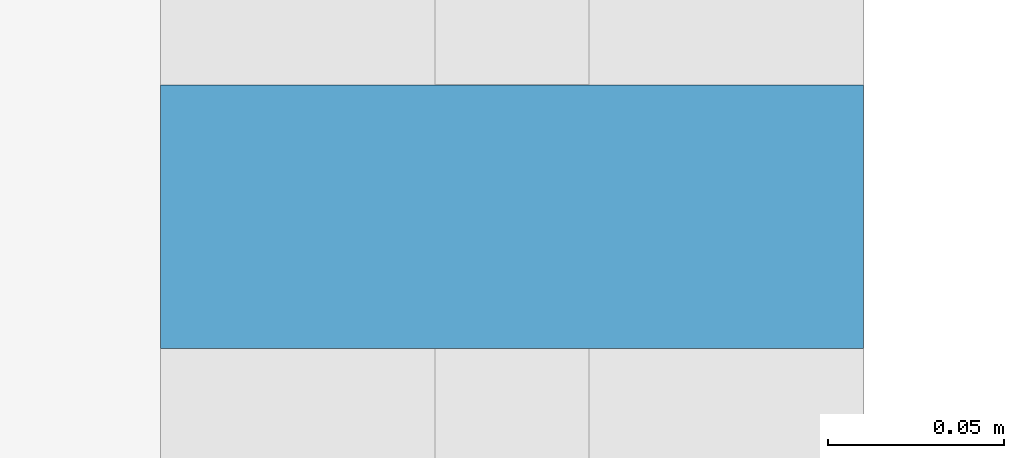
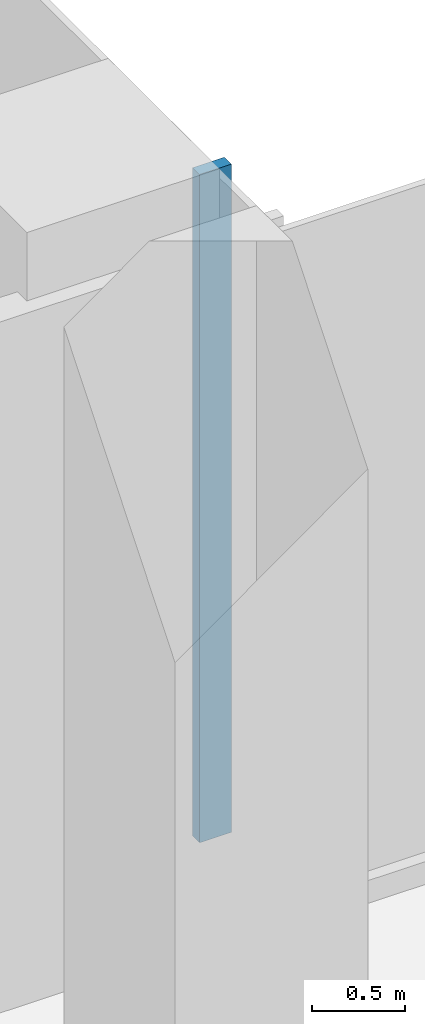
# One storey, part 4 of 27: 1 member, 1 element without a shape of its own.
"""IFC4 building model written with IfcOpenShell, lengths in metres."""

from ifc_helpers import new_model, si_unit, direction, frame, origin, origin_2d, place, context, subcontext, project, spatial, rectangle, extrude, source, transform, mapped, material, material_profile, profile_set, type_object, element, aggregate, save


model = new_model("IFC4")

# Units and contexts
model_context = context("Model", 3, precision=1e-05, world=origin(), true_north=direction((0.0, 1.0)))
body_context = subcontext(model_context, "Body", "Model", "MODEL_VIEW")
ifc_project = project(units=[si_unit("LENGTHUNIT", "METRE"), si_unit("AREAUNIT", "SQUARE_METRE"), si_unit("VOLUMEUNIT", "CUBIC_METRE"), si_unit("PLANEANGLEUNIT", "RADIAN"), si_unit("MASSUNIT", "GRAM", prefix="KILO")], contexts=[model_context])

# Site, building, storey
site_placement = place(None, origin())
site = spatial("IfcSite", under=ifc_project, at=site_placement, CompositionType="ELEMENT")
building_placement = place(site_placement, origin())
building = spatial("IfcBuilding", under=site, at=building_placement, Name="Kemantara Hotel Tower", CompositionType="ELEMENT")
storey_placement = place(building_placement, frame((0.0, 0.0, 29.0)))
storey = spatial("IfcBuildingStorey", under=building, at=storey_placement, Name="L05", CompositionType="ELEMENT", Elevation=29.0)

# Curtain wall, member
ifc_material_1 = material(Name="Laminated tinted insulated glass 44 mm", Category="glass")
curtain_wall_type = type_object("IfcCurtainWallType", Name="PODIUM GLASS CURTAIN WALL", PredefinedType="USERDEFINED", material=ifc_material_1)
curtain_wall_placement = place(storey_placement, origin())
curtain_wall = element("IfcCurtainWall", 1, at=curtain_wall_placement, inside=storey, type_object=curtain_wall_type, Name="CW1 L05 POD-R08-1", ObjectType="PODIUM GLASS CURTAIN WALL", PredefinedType="USERDEFINED")
ifc_material_2 = material(Name="Aluminium 6063-T6 bronze anodised", Category="aluminium")
ifc_material_profile = material_profile(ifc_material_2, rectangle(XDim=0.199951171875, YDim=0.074951171875, at=origin_2d()), Name="PODIUM GLASS CURTAIN WALL MULLION")
ifc_profile_set = profile_set([ifc_material_profile], Name="Aluminium 6063-T6 bronze anodised")
member_type = type_object("IfcMemberType", Name="PODIUM GLASS CURTAIN WALL MULLION", PredefinedType="MULLION", material=ifc_profile_set)
shared_shape = source(origin(), body_context, "Body", "SweptSolid", [
    extrude(rectangle(XDim=0.199951171875, YDim=0.074951171875, at=origin_2d()), origin(), (0.0, 0.0, 1.0), 4.400146484375),
])
member_placement = place(storey_placement, frame((63.5, 27.39990234375, 0.14990234375), z_axis=(0.0, 0.0, 1.0), x_axis=(-1.0, 0.0, 0.0)))
member = element("IfcMember", 2, at=member_placement, type_object=member_type, Name="CW1 mullion POD-R08-1.2", PredefinedType="MULLION", context=body_context, shape_type="MappedRepresentation", body=[
    mapped(shared_shape, transform((0.0, 0.0, 0.0))),
])
aggregate(curtain_wall, [member])

save(model, "model.ifc")
